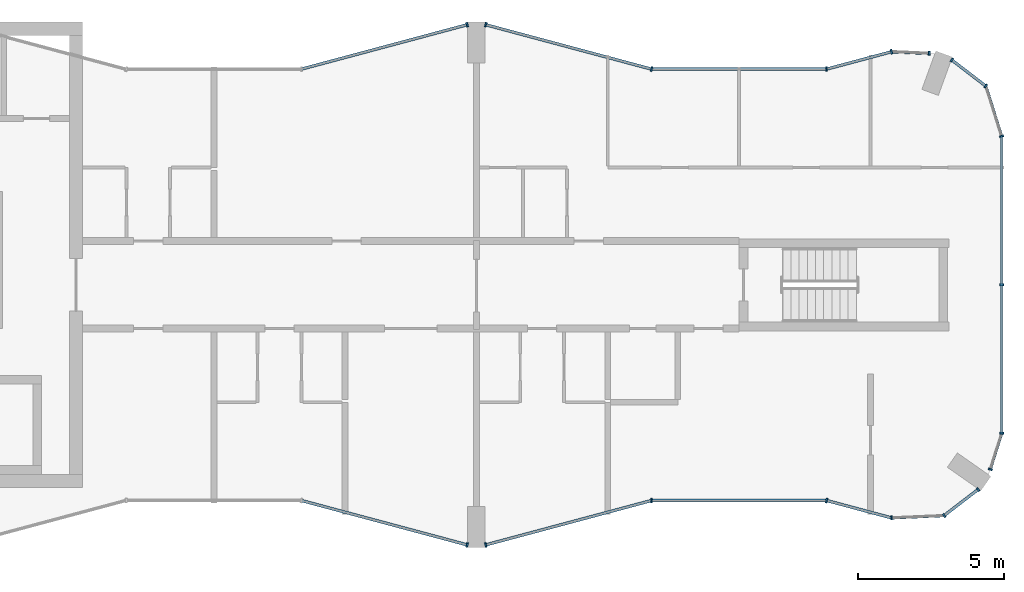
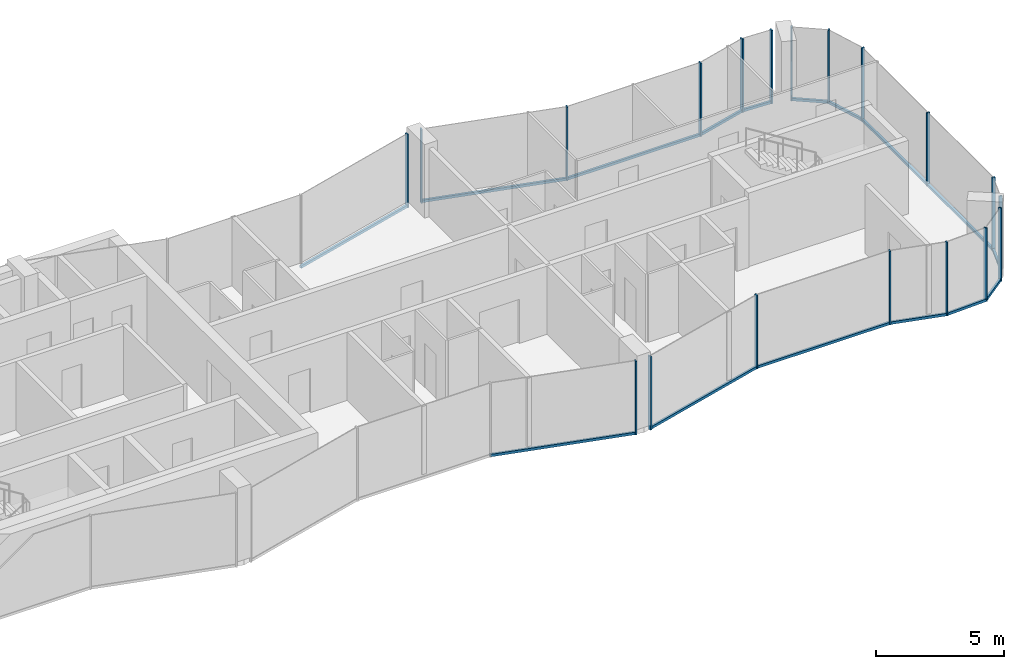
# One storey, part 5 of 10: 34 members, 15 elements without a shape of their own.
"""IFC4 building model written with IfcOpenShell, lengths in metres."""

from ifc_helpers import new_model, si_unit, direction, frame, origin, origin_2d, place, context, subcontext, project, spatial, rectangle, extrude, material, layer, layer_set, material_profile, profile_set, type_object, element, aggregate, save


model = new_model("IFC4")

# Units and contexts
model_context = context("Model", 3, precision=1e-05, world=origin(), true_north=direction((0.0, 1.0)))
body_context = subcontext(model_context, "Body", "Model", "MODEL_VIEW")
ifc_project = project(units=[si_unit("LENGTHUNIT", "METRE"), si_unit("AREAUNIT", "SQUARE_METRE"), si_unit("VOLUMEUNIT", "CUBIC_METRE"), si_unit("PLANEANGLEUNIT", "RADIAN"), si_unit("MASSUNIT", "GRAM", prefix="KILO")], contexts=[model_context])

# Site, building, storey
site_placement = place(None, origin())
site = spatial("IfcSite", under=ifc_project, at=site_placement, CompositionType="ELEMENT")
building_placement = place(site_placement, origin())
building = spatial("IfcBuilding", under=site, at=building_placement, Name="Plateau Cross Towers", CompositionType="ELEMENT")
storey_placement = place(building_placement, frame((0.0, 0.0, 266.89990234375)))
storey = spatial("IfcBuildingStorey", under=building, at=storey_placement, Name="L70", CompositionType="ELEMENT", Elevation=266.89990234375)

# Curtain wall, member
ifc_material_1 = material(Name="Dark low-iron glass", Category="glass")
ifc_layer_1 = layer(ifc_material_1, 0.239990234375)
ifc_layer_set_1 = layer_set([ifc_layer_1], Name="Dark low-iron glass")
curtain_wall_type_1 = type_object("IfcCurtainWallType", Name="Curtain wall flush unitised CW-B", PredefinedType="NOTDEFINED", material=ifc_layer_set_1)
curtain_wall_1_placement = place(storey_placement, origin())
curtain_wall_1 = element("IfcCurtainWall", 1, at=curtain_wall_1_placement, inside=storey, type_object=curtain_wall_type_1, Name="ENV/A/L70/A502_10", PredefinedType="NOTDEFINED")
ifc_material_2 = material(Name="Black anodised aluminium", Category="aluminium")
ifc_material_profile_1 = material_profile(ifc_material_2, rectangle(XDim=0.06005859375, YDim=0.139892578125, at=origin_2d()), Name="MULLION 60x140")
ifc_profile_set_1 = profile_set([ifc_material_profile_1], Name="Black anodised aluminium")
member_type_1 = type_object("IfcMemberType", Name="Mullion 60x140 flush unitised", PredefinedType="MULLION", material=ifc_profile_set_1)
member_1_placement = place(storey_placement, frame((50.223876953125, 1.01123046875, -0.25), z_axis=(0.0, 0.0, 1.0), x_axis=(0.999043701491, 0.043722791671, 0.0)))
member_1 = element("IfcMember", 2, at=member_1_placement, type_object=member_type_1, Name="CW-B mullion 1", PredefinedType="MULLION", context=body_context, shape_type="SweptSolid", body=[
    extrude(rectangle(XDim=0.06005859375, YDim=0.139892578125, at=origin_2d()), origin(), (0.0, 0.0, 1.0), 3.5),
])

# Curtain wall, members
curtain_wall_2_placement = place(storey_placement, origin())
curtain_wall_2 = element("IfcCurtainWall", 3, at=curtain_wall_2_placement, inside=storey, type_object=curtain_wall_type_1, Name="ENV/A/L70/A520_11", PredefinedType="NOTDEFINED")
member_2_placement = place(storey_placement, frame((52.0263671875, 1.090087890625, -0.25), z_axis=(0.0, 0.0, 1.0), x_axis=(0.793315514529, 0.608810721331, 0.0)))
member_2 = element("IfcMember", 4, at=member_2_placement, type_object=member_type_1, Name="CW-B mullion 1", PredefinedType="MULLION", context=body_context, shape_type="SweptSolid", body=[
    extrude(rectangle(XDim=0.06005859375, YDim=0.139892578125, at=origin_2d()), origin(), (0.0, 0.0, 1.0), 3.5),
])
member_3_placement = place(storey_placement, frame((53.193603515625, 1.986083984375, -0.25), z_axis=(0.0, 0.0, 1.0), x_axis=(0.793315514529, 0.608810721331, 0.0)))
member_3 = element("IfcMember", 5, at=member_3_placement, type_object=member_type_1, Name="CW-B mullion 2", PredefinedType="MULLION", context=body_context, shape_type="SweptSolid", body=[
    extrude(rectangle(XDim=0.06005859375, YDim=0.139892578125, at=origin_2d()), origin(), (0.0, 0.0, 1.0), 3.5),
])

# Curtain wall, member
curtain_wall_3_placement = place(storey_placement, origin())
curtain_wall_3 = element("IfcCurtainWall", 6, at=curtain_wall_3_placement, inside=storey, type_object=curtain_wall_type_1, Name="ENV/A/L70/A536_27", PredefinedType="NOTDEFINED")
member_4_placement = place(storey_placement, frame((53.611083984375, 2.67529296875, -0.25), z_axis=(0.0, 0.0, 1.0), x_axis=(0.300686174994, 0.95372313811, 0.0)))
member_4 = element("IfcMember", 7, at=member_4_placement, type_object=member_type_1, Name="CW-B mullion 1", PredefinedType="MULLION", context=body_context, shape_type="SweptSolid", body=[
    extrude(rectangle(XDim=0.06005859375, YDim=0.139892578125, at=origin_2d()), origin(), (0.0, 0.0, 1.0), 3.5),
])

# Curtain wall, members
curtain_wall_4_placement = place(storey_placement, origin())
curtain_wall_4 = element("IfcCurtainWall", 8, at=curtain_wall_4_placement, inside=storey, type_object=curtain_wall_type_1, Name="ENV/A/L70/A540_39", PredefinedType="NOTDEFINED")
member_5_placement = place(storey_placement, frame((54.0, 3.9091796875, -0.25), z_axis=(0.0, 0.0, 1.0), x_axis=(0.0, 1.0, 0.0)))
member_5 = element("IfcMember", 9, at=member_5_placement, type_object=member_type_1, Name="CW-B mullion 1", PredefinedType="MULLION", context=body_context, shape_type="SweptSolid", body=[
    extrude(rectangle(XDim=0.06005859375, YDim=0.139892578125, at=origin_2d()), origin(), (0.0, 0.0, 1.0), 3.5),
])
member_6_placement = place(storey_placement, frame((54.0, 9.0, -0.25), z_axis=(0.0, 0.0, 1.0), x_axis=(0.0, 1.0, 0.0)))
member_6 = element("IfcMember", 10, at=member_6_placement, type_object=member_type_1, Name="CW-B mullion 2", PredefinedType="MULLION", context=body_context, shape_type="SweptSolid", body=[
    extrude(rectangle(XDim=0.06005859375, YDim=0.139892578125, at=origin_2d()), origin(), (0.0, 0.0, 1.0), 3.5),
])

# Curtain wall, member
curtain_wall_5_placement = place(storey_placement, origin())
curtain_wall_5 = element("IfcCurtainWall", 11, at=curtain_wall_5_placement, inside=storey, type_object=curtain_wall_type_1, Name="ENV/A/L70/A540_141", PredefinedType="NOTDEFINED")
member_7_placement = place(storey_placement, frame((54.0, 14.0908203125, -0.25), z_axis=(0.0, 0.0, 1.0), x_axis=(-0.300686174994, 0.95372313811, 0.0)))
member_7 = element("IfcMember", 12, at=member_7_placement, type_object=member_type_1, Name="CW-B mullion 1", PredefinedType="MULLION", context=body_context, shape_type="SweptSolid", body=[
    extrude(rectangle(XDim=0.06005859375, YDim=0.139892578125, at=origin_2d()), origin(), (0.0, 0.0, 1.0), 3.5),
])

# Curtain wall, members
curtain_wall_6_placement = place(storey_placement, origin())
curtain_wall_6 = element("IfcCurtainWall", 13, at=curtain_wall_6_placement, inside=storey, type_object=curtain_wall_type_1, Name="ENV/A/L70/A535_158", PredefinedType="NOTDEFINED")
member_8_placement = place(storey_placement, frame((53.45751953125, 15.8115234375, -0.25), z_axis=(0.0, 0.0, 1.0), x_axis=(-0.793315514529, 0.608810721331, 0.0)))
member_8 = element("IfcMember", 14, at=member_8_placement, type_object=member_type_1, Name="CW-B mullion 1", PredefinedType="MULLION", context=body_context, shape_type="SweptSolid", body=[
    extrude(rectangle(XDim=0.06005859375, YDim=0.139892578125, at=origin_2d()), origin(), (0.0, 0.0, 1.0), 3.5),
])
member_9_placement = place(storey_placement, frame((52.290283203125, 16.707275390625, -0.25), z_axis=(0.0, 0.0, 1.0), x_axis=(-0.793315514529, 0.608810721331, 0.0)))
member_9 = element("IfcMember", 15, at=member_9_placement, type_object=member_type_1, Name="CW-B mullion 2", PredefinedType="MULLION", context=body_context, shape_type="SweptSolid", body=[
    extrude(rectangle(XDim=0.06005859375, YDim=0.139892578125, at=origin_2d()), origin(), (0.0, 0.0, 1.0), 3.5),
])

# Curtain wall, member
curtain_wall_7_placement = place(storey_placement, origin())
curtain_wall_7 = element("IfcCurtainWall", 16, at=curtain_wall_7_placement, inside=storey, type_object=curtain_wall_type_1, Name="ENV/A/L70/A515_169", PredefinedType="NOTDEFINED")
member_10_placement = place(storey_placement, frame((51.516357421875, 16.93212890625, -0.25), z_axis=(0.0, 0.0, 1.0), x_axis=(-0.999043701491, 0.043722791671, 0.0)))
member_10 = element("IfcMember", 17, at=member_10_placement, type_object=member_type_1, Name="CW-B mullion 1", PredefinedType="MULLION", context=body_context, shape_type="SweptSolid", body=[
    extrude(rectangle(XDim=0.06005859375, YDim=0.139892578125, at=origin_2d()), origin(), (0.0, 0.0, 1.0), 3.5),
])

ifc_layer_2 = layer(ifc_material_1, 0.260009765625)
ifc_layer_set_2 = layer_set([ifc_layer_2], Name="Dark low-iron glass")
curtain_wall_type_2 = type_object("IfcCurtainWallType", Name="Curtain wall fluted unitised CW-A", PredefinedType="NOTDEFINED", material=ifc_layer_set_2)
curtain_wall_8_placement = place(storey_placement, origin())
curtain_wall_8 = element("IfcCurtainWall", 18, at=curtain_wall_8_placement, inside=storey, type_object=curtain_wall_type_2, Name="ENV/A/L70/A300_16", PredefinedType="NOTDEFINED")
ifc_material_profile_2 = material_profile(ifc_material_2, rectangle(XDim=0.06005859375, YDim=0.159912109375, at=origin_2d()), Name="MULLION 60x160")
ifc_profile_set_2 = profile_set([ifc_material_profile_2], Name="Black anodised aluminium")
member_type_2 = type_object("IfcMemberType", Name="Mullion 60x160 fluted unitised", PredefinedType="MULLION", material=ifc_profile_set_2)
member_11_placement = place(storey_placement, frame((35.68212890625, 0.085205078125, -0.25), z_axis=(0.0, 0.0, 1.0), x_axis=(0.965957983404, -0.258699003279, 0.0)))
member_11 = element("IfcMember", 19, at=member_11_placement, type_object=member_type_2, Name="CW-A mullion 2", PredefinedType="MULLION", context=body_context, shape_type="SweptSolid", body=[
    extrude(rectangle(XDim=0.06005859375, YDim=0.159912109375, at=origin_2d()), origin(), (0.0, 0.0, 1.0), 3.5),
])

curtain_wall_9_placement = place(storey_placement, origin())
curtain_wall_9 = element("IfcCurtainWall", 20, at=curtain_wall_9_placement, inside=storey, type_object=curtain_wall_type_2, Name="ENV/A/L70/A363_1", PredefinedType="NOTDEFINED")
member_12_placement = place(storey_placement, frame((36.31787109375, 0.085205078125, -0.25), z_axis=(0.0, 0.0, 1.0), x_axis=(0.965957983404, 0.258699003279, 0.0)))
member_12 = element("IfcMember", 21, at=member_12_placement, type_object=member_type_2, Name="CW-A mullion 1", PredefinedType="MULLION", context=body_context, shape_type="SweptSolid", body=[
    extrude(rectangle(XDim=0.06005859375, YDim=0.159912109375, at=origin_2d()), origin(), (0.0, 0.0, 1.0), 3.5),
])

curtain_wall_10_placement = place(storey_placement, origin())
curtain_wall_10 = element("IfcCurtainWall", 22, at=curtain_wall_10_placement, inside=storey, type_object=curtain_wall_type_2, Name="ENV/A/L70/A420_16", PredefinedType="NOTDEFINED")
member_13_placement = place(storey_placement, frame((42.0, 1.60693359375, -0.25), z_axis=(0.0, 0.0, 1.0), x_axis=(1.0, 0.0, 0.0)))
member_13 = element("IfcMember", 23, at=member_13_placement, type_object=member_type_2, Name="CW-A mullion 1", PredefinedType="MULLION", context=body_context, shape_type="SweptSolid", body=[
    extrude(rectangle(XDim=0.06005859375, YDim=0.159912109375, at=origin_2d()), origin(), (0.0, 0.0, 1.0), 3.5),
])

curtain_wall_11_placement = place(storey_placement, origin())
curtain_wall_11 = element("IfcCurtainWall", 24, at=curtain_wall_11_placement, inside=storey, type_object=curtain_wall_type_2, Name="ENV/A/L70/A480_16", PredefinedType="NOTDEFINED")
member_14_placement = place(storey_placement, frame((48.0, 1.60693359375, -0.25), z_axis=(0.0, 0.0, 1.0), x_axis=(0.965957962328, -0.258699081978, 0.0)))
member_14 = element("IfcMember", 25, at=member_14_placement, type_object=member_type_2, Name="CW-A mullion 1", PredefinedType="MULLION", context=body_context, shape_type="SweptSolid", body=[
    extrude(rectangle(XDim=0.06005859375, YDim=0.159912109375, at=origin_2d()), origin(), (0.0, 0.0, 1.0), 3.5),
])

curtain_wall_12_placement = place(storey_placement, origin())
curtain_wall_12 = element("IfcCurtainWall", 26, at=curtain_wall_12_placement, inside=storey, type_object=curtain_wall_type_2, Name="ENV/A/L70/A502_170", PredefinedType="NOTDEFINED")
member_15_placement = place(storey_placement, frame((50.223876953125, 16.98876953125, -0.25), z_axis=(0.0, 0.0, 1.0), x_axis=(-0.965957962328, -0.258699081978, 0.0)))
member_15 = element("IfcMember", 27, at=member_15_placement, type_object=member_type_2, Name="CW-A mullion 1", PredefinedType="MULLION", context=body_context, shape_type="SweptSolid", body=[
    extrude(rectangle(XDim=0.06005859375, YDim=0.159912109375, at=origin_2d()), origin(), (0.0, 0.0, 1.0), 3.5),
])

curtain_wall_13_placement = place(storey_placement, origin())
curtain_wall_13 = element("IfcCurtainWall", 28, at=curtain_wall_13_placement, inside=storey, type_object=curtain_wall_type_2, Name="ENV/A/L70/A480_164", PredefinedType="NOTDEFINED")
member_16_placement = place(storey_placement, frame((48.0, 16.39306640625, -0.25), z_axis=(0.0, 0.0, 1.0), x_axis=(-1.0, 0.0, 0.0)))
member_16 = element("IfcMember", 29, at=member_16_placement, type_object=member_type_2, Name="CW-A mullion 1", PredefinedType="MULLION", context=body_context, shape_type="SweptSolid", body=[
    extrude(rectangle(XDim=0.06005859375, YDim=0.159912109375, at=origin_2d()), origin(), (0.0, 0.0, 1.0), 3.5),
])

# Curtain wall, members
curtain_wall_14_placement = place(storey_placement, origin())
curtain_wall_14 = element("IfcCurtainWall", 30, at=curtain_wall_14_placement, inside=storey, type_object=curtain_wall_type_2, Name="ENV/A/L70/A420_164", PredefinedType="NOTDEFINED")
member_17_placement = place(storey_placement, frame((42.0, 16.39306640625, -0.25), z_axis=(0.0, 0.0, 1.0), x_axis=(-0.965957983404, 0.258699003279, 0.0)))
member_17 = element("IfcMember", 31, at=member_17_placement, type_object=member_type_2, Name="CW-A mullion 1", PredefinedType="MULLION", context=body_context, shape_type="SweptSolid", body=[
    extrude(rectangle(XDim=0.06005859375, YDim=0.159912109375, at=origin_2d()), origin(), (0.0, 0.0, 1.0), 3.5),
])
member_18_placement = place(storey_placement, frame((36.31787109375, 17.914794921875, -0.25), z_axis=(0.0, 0.0, 1.0), x_axis=(-0.965957983404, 0.258699003279, 0.0)))
member_18 = element("IfcMember", 32, at=member_18_placement, type_object=member_type_2, Name="CW-A mullion 2", PredefinedType="MULLION", context=body_context, shape_type="SweptSolid", body=[
    extrude(rectangle(XDim=0.06005859375, YDim=0.159912109375, at=origin_2d()), origin(), (0.0, 0.0, 1.0), 3.5),
])

# Curtain wall, member
curtain_wall_15_placement = place(storey_placement, origin())
curtain_wall_15 = element("IfcCurtainWall", 33, at=curtain_wall_15_placement, inside=storey, type_object=curtain_wall_type_2, Name="ENV/A/L70/A357_179", PredefinedType="NOTDEFINED")
member_19_placement = place(storey_placement, frame((35.68212890625, 17.914794921875, -0.25), z_axis=(0.0, 0.0, 1.0), x_axis=(-0.965957983404, -0.258699003279, 0.0)))
member_19 = element("IfcMember", 34, at=member_19_placement, type_object=member_type_2, Name="CW-A mullion 1", PredefinedType="MULLION", context=body_context, shape_type="SweptSolid", body=[
    extrude(rectangle(XDim=0.06005859375, YDim=0.159912109375, at=origin_2d()), origin(), (0.0, 0.0, 1.0), 3.5),
])

# Member
ifc_material_profile_3 = material_profile(ifc_material_2, rectangle(XDim=0.10009765625, YDim=0.1201171875, at=origin_2d()), Name="TRANSOM 100x120")
ifc_profile_set_3 = profile_set([ifc_material_profile_3], Name="Black anodised aluminium")
member_type_3 = type_object("IfcMemberType", Name="Transom 100x120 flush unitised", PredefinedType="USERDEFINED", material=ifc_profile_set_3)
member_20_placement = place(storey_placement, frame((50.223876953125, 1.01123046875, -0.18994140625), z_axis=(0.999044377355, 0.043707345779, 0.0), x_axis=(-0.043707345779, 0.999044377355, 0.0)))
member_20 = element("IfcMember", 35, at=member_20_placement, type_object=member_type_3, Name="CW-B transom", ObjectType="TRANSOM", PredefinedType="USERDEFINED", context=body_context, shape_type="SweptSolid", body=[
    extrude(rectangle(XDim=0.10009765625, YDim=0.1201171875, at=origin_2d()), origin(), (0.0, 0.0, 1.0), 1.80419921875),
])

aggregate(curtain_wall_1, [member_1, member_20])

member_21_placement = place(storey_placement, frame((52.0263671875, 1.090087890625, -0.18994140625), z_axis=(0.793240368515, 0.608908628415, 0.0), x_axis=(-0.608908628415, 0.793240368515, 0.0)))
member_21 = element("IfcMember", 36, at=member_21_placement, type_object=member_type_3, Name="CW-B transom", ObjectType="TRANSOM", PredefinedType="USERDEFINED", context=body_context, shape_type="SweptSolid", body=[
    extrude(rectangle(XDim=0.10009765625, YDim=0.1201171875, at=origin_2d()), origin(), (0.0, 0.0, 1.0), 1.471435546875),
])

aggregate(curtain_wall_2, [member_2, member_3, member_21])

member_22_placement = place(storey_placement, frame((53.611083984375, 2.67529296875, -0.18994140625), z_axis=(0.300616528216, 0.953745093284, 0.0), x_axis=(-0.953745093284, 0.300616528216, 0.0)))
member_22 = element("IfcMember", 37, at=member_22_placement, type_object=member_type_3, Name="CW-B transom", ObjectType="TRANSOM", PredefinedType="USERDEFINED", context=body_context, shape_type="SweptSolid", body=[
    extrude(rectangle(XDim=0.10009765625, YDim=0.1201171875, at=origin_2d()), origin(), (0.0, 0.0, 1.0), 1.293701171875),
])

aggregate(curtain_wall_3, [member_4, member_22])

member_23_placement = place(storey_placement, frame((54.0, 3.9091796875, -0.18994140625), z_axis=(0.0, 1.0, 0.0), x_axis=(-1.0, 0.0, 0.0)))
member_23 = element("IfcMember", 38, at=member_23_placement, type_object=member_type_3, Name="CW-B transom", ObjectType="TRANSOM", PredefinedType="USERDEFINED", context=body_context, shape_type="SweptSolid", body=[
    extrude(rectangle(XDim=0.10009765625, YDim=0.1201171875, at=origin_2d()), origin(), (0.0, 0.0, 1.0), 10.181640625),
])

aggregate(curtain_wall_4, [member_5, member_6, member_23])

member_24_placement = place(storey_placement, frame((54.0, 14.0908203125, -0.18994140625), z_axis=(-0.30067799945, 0.953725715626, 0.0), x_axis=(-0.953725715626, -0.30067799945, 0.0)))
member_24 = element("IfcMember", 39, at=member_24_placement, type_object=member_type_3, Name="CW-B transom", ObjectType="TRANSOM", PredefinedType="USERDEFINED", context=body_context, shape_type="SweptSolid", body=[
    extrude(rectangle(XDim=0.10009765625, YDim=0.1201171875, at=origin_2d()), origin(), (0.0, 0.0, 1.0), 1.80419921875),
])

aggregate(curtain_wall_5, [member_7, member_24])

member_25_placement = place(storey_placement, frame((53.45751953125, 15.8115234375, -0.18994140625), z_axis=(-0.793320508571, 0.608804213751, 0.0), x_axis=(-0.608804213751, -0.793320508571, 0.0)))
member_25 = element("IfcMember", 40, at=member_25_placement, type_object=member_type_3, Name="CW-B transom", ObjectType="TRANSOM", PredefinedType="USERDEFINED", context=body_context, shape_type="SweptSolid", body=[
    extrude(rectangle(XDim=0.10009765625, YDim=0.1201171875, at=origin_2d()), origin(), (0.0, 0.0, 1.0), 1.471435546875),
])

aggregate(curtain_wall_6, [member_8, member_9, member_25])

member_26_placement = place(storey_placement, frame((51.516357421875, 16.93212890625, -0.18994140625), z_axis=(-0.999041144614, 0.043781175963, 0.0), x_axis=(-0.043781175963, -0.999041144614, 0.0)))
member_26 = element("IfcMember", 41, at=member_26_placement, type_object=member_type_3, Name="CW-B transom", ObjectType="TRANSOM", PredefinedType="USERDEFINED", context=body_context, shape_type="SweptSolid", body=[
    extrude(rectangle(XDim=0.10009765625, YDim=0.1201171875, at=origin_2d()), origin(), (0.0, 0.0, 1.0), 1.293701171875),
])

aggregate(curtain_wall_7, [member_10, member_26])

ifc_material_profile_4 = material_profile(ifc_material_2, rectangle(XDim=0.10009765625, YDim=0.1201171875, at=origin_2d()), Name="TRANSOM 100x120")
ifc_profile_set_4 = profile_set([ifc_material_profile_4], Name="Black anodised aluminium")
member_type_4 = type_object("IfcMemberType", Name="Transom 100x120 fluted unitised", PredefinedType="USERDEFINED", material=ifc_profile_set_4)
member_27_placement = place(storey_placement, frame((30.0, 1.60693359375, -0.18994140625), z_axis=(0.965959534794, -0.258693210465, 0.0), x_axis=(0.258693210465, 0.965959534794, 0.0)))
member_27 = element("IfcMember", 42, at=member_27_placement, type_object=member_type_4, Name="CW-A transom", ObjectType="TRANSOM", PredefinedType="USERDEFINED", context=body_context, shape_type="SweptSolid", body=[
    extrude(rectangle(XDim=0.10009765625, YDim=0.1201171875, at=origin_2d()), origin(), (0.0, 0.0, 1.0), 5.88232421875),
])

aggregate(curtain_wall_8, [member_11, member_27])

member_28_placement = place(storey_placement, frame((36.31787109375, 0.085205078125, -0.18994140625), z_axis=(0.965959534794, 0.258693210465, 0.0), x_axis=(-0.258693210465, 0.965959534794, 0.0)))
member_28 = element("IfcMember", 43, at=member_28_placement, type_object=member_type_4, Name="CW-A transom", ObjectType="TRANSOM", PredefinedType="USERDEFINED", context=body_context, shape_type="SweptSolid", body=[
    extrude(rectangle(XDim=0.10009765625, YDim=0.1201171875, at=origin_2d()), origin(), (0.0, 0.0, 1.0), 5.88232421875),
])

aggregate(curtain_wall_9, [member_12, member_28])

member_29_placement = place(storey_placement, frame((42.0, 1.60693359375, -0.18994140625), z_axis=(1.0, 0.0, 0.0), x_axis=(0.0, 1.0, 0.0)))
member_29 = element("IfcMember", 44, at=member_29_placement, type_object=member_type_4, Name="CW-A transom", ObjectType="TRANSOM", PredefinedType="USERDEFINED", context=body_context, shape_type="SweptSolid", body=[
    extrude(rectangle(XDim=0.10009765625, YDim=0.1201171875, at=origin_2d()), origin(), (0.0, 0.0, 1.0), 6.0),
])

aggregate(curtain_wall_10, [member_13, member_29])

member_30_placement = place(storey_placement, frame((48.0, 1.60693359375, -0.18994140625), z_axis=(0.965945685136, -0.258744919501, 0.0), x_axis=(0.258744919501, 0.965945685136, 0.0)))
member_30 = element("IfcMember", 45, at=member_30_placement, type_object=member_type_4, Name="CW-A transom", ObjectType="TRANSOM", PredefinedType="USERDEFINED", context=body_context, shape_type="SweptSolid", body=[
    extrude(rectangle(XDim=0.10009765625, YDim=0.1201171875, at=origin_2d()), origin(), (0.0, 0.0, 1.0), 2.30224609375),
])

aggregate(curtain_wall_11, [member_14, member_30])

member_31_placement = place(storey_placement, frame((50.223876953125, 16.98876953125, -0.18994140625), z_axis=(-0.965945685136, -0.258744919501, 0.0), x_axis=(0.258744919501, -0.965945685136, 0.0)))
member_31 = element("IfcMember", 46, at=member_31_placement, type_object=member_type_4, Name="CW-A transom", ObjectType="TRANSOM", PredefinedType="USERDEFINED", context=body_context, shape_type="SweptSolid", body=[
    extrude(rectangle(XDim=0.10009765625, YDim=0.1201171875, at=origin_2d()), origin(), (0.0, 0.0, 1.0), 2.30224609375),
])

aggregate(curtain_wall_12, [member_15, member_31])

member_32_placement = place(storey_placement, frame((48.0, 16.39306640625, -0.18994140625), z_axis=(-1.0, 0.0, 0.0), x_axis=(0.0, -1.0, 0.0)))
member_32 = element("IfcMember", 47, at=member_32_placement, type_object=member_type_4, Name="CW-A transom", ObjectType="TRANSOM", PredefinedType="USERDEFINED", context=body_context, shape_type="SweptSolid", body=[
    extrude(rectangle(XDim=0.10009765625, YDim=0.1201171875, at=origin_2d()), origin(), (0.0, 0.0, 1.0), 6.0),
])

aggregate(curtain_wall_13, [member_16, member_32])

member_33_placement = place(storey_placement, frame((42.0, 16.39306640625, -0.18994140625), z_axis=(-0.965959534794, 0.258693210465, 0.0), x_axis=(-0.258693210465, -0.965959534794, 0.0)))
member_33 = element("IfcMember", 48, at=member_33_placement, type_object=member_type_4, Name="CW-A transom", ObjectType="TRANSOM", PredefinedType="USERDEFINED", context=body_context, shape_type="SweptSolid", body=[
    extrude(rectangle(XDim=0.10009765625, YDim=0.1201171875, at=origin_2d()), origin(), (0.0, 0.0, 1.0), 5.88232421875),
])

aggregate(curtain_wall_14, [member_17, member_18, member_33])

member_34_placement = place(storey_placement, frame((35.68212890625, 17.914794921875, -0.18994140625), z_axis=(-0.965959534794, -0.258693210465, 0.0), x_axis=(0.258693210465, -0.965959534794, 0.0)))
member_34 = element("IfcMember", 49, at=member_34_placement, type_object=member_type_4, Name="CW-A transom", ObjectType="TRANSOM", PredefinedType="USERDEFINED", context=body_context, shape_type="SweptSolid", body=[
    extrude(rectangle(XDim=0.10009765625, YDim=0.1201171875, at=origin_2d()), origin(), (0.0, 0.0, 1.0), 5.88232421875),
])

aggregate(curtain_wall_15, [member_19, member_34])

save(model, "model.ifc")
